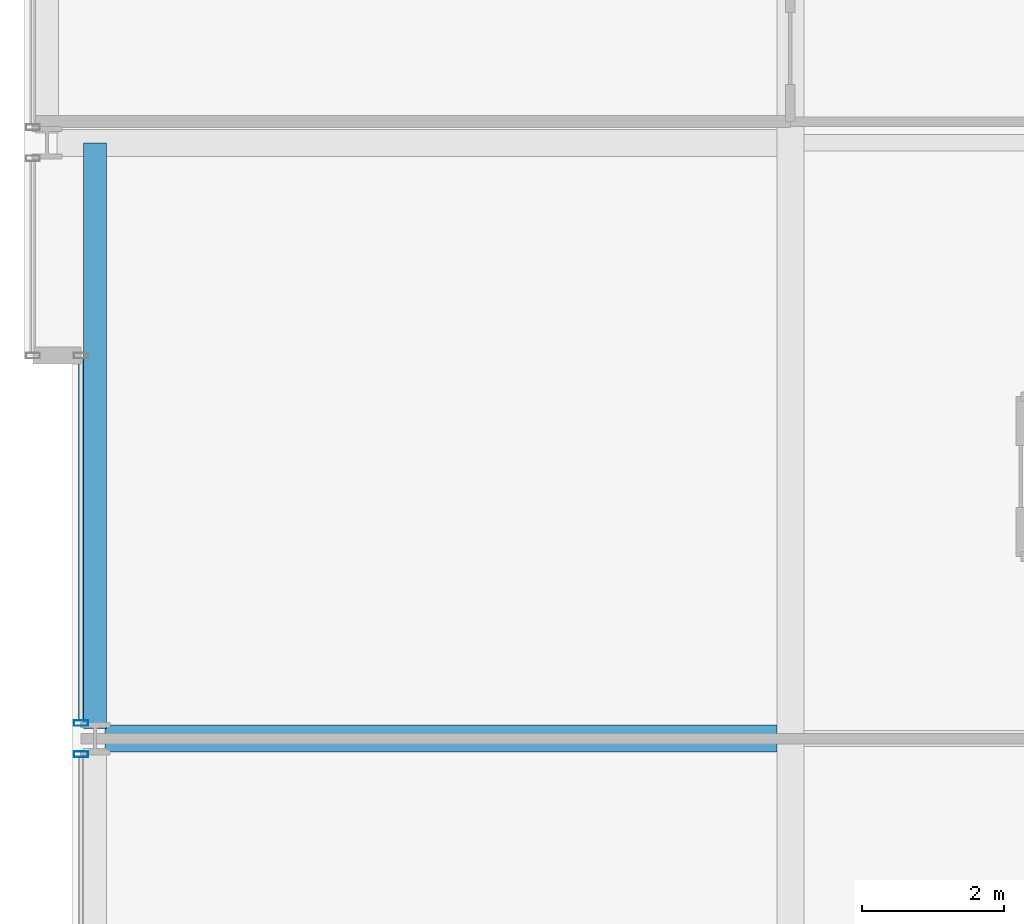
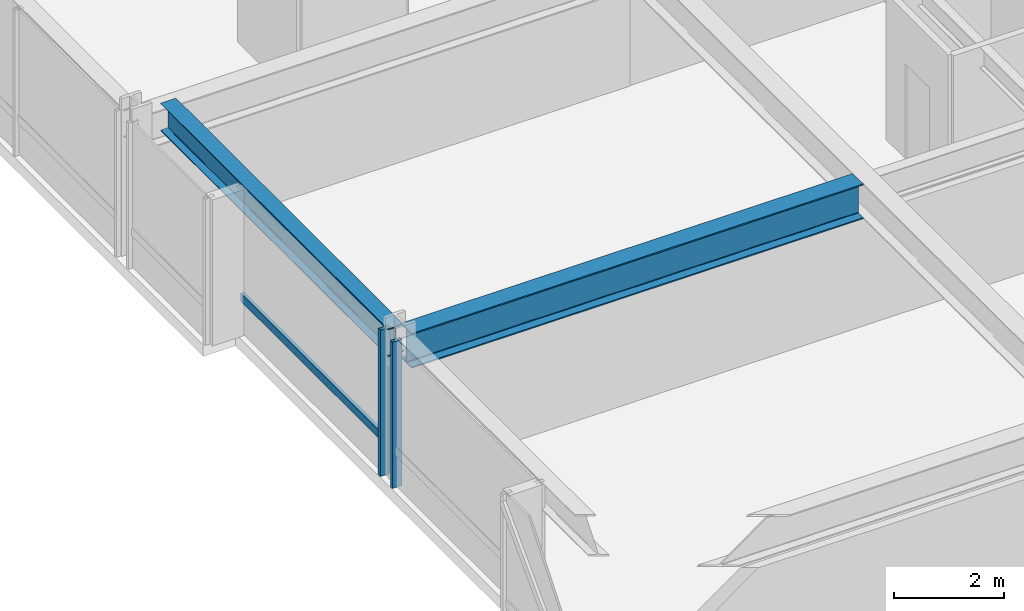
# One storey, part 9 of 34: 3 members, 2 beams, 2 elements without a shape of their own.
"""IFC4 building model written with IfcOpenShell, lengths in metres."""

from ifc_helpers import new_model, si_unit, direction, frame, origin, origin_2d, place, context, subcontext, project, spatial, hollow_rectangle, i_section, extrude, material, layer, layer_set, material_profile, profile_set, type_object, element, aggregate, save


model = new_model("IFC4")

# Units and contexts
model_context = context("Model", 3, precision=1e-05, world=origin(), true_north=direction((0.0, 1.0)))
body_context = subcontext(model_context, "Body", "Model", "MODEL_VIEW")
ifc_project = project(units=[si_unit("LENGTHUNIT", "METRE"), si_unit("AREAUNIT", "SQUARE_METRE"), si_unit("VOLUMEUNIT", "CUBIC_METRE"), si_unit("PLANEANGLEUNIT", "RADIAN"), si_unit("MASSUNIT", "GRAM", prefix="KILO")], contexts=[model_context])

# Site, building, storey
site_placement = place(None, origin())
site = spatial("IfcSite", under=ifc_project, at=site_placement, CompositionType="ELEMENT")
building_placement = place(site_placement, origin())
building = spatial("IfcBuilding", under=site, at=building_placement, Name="Drelvath Grand Hotel", CompositionType="ELEMENT")
storey_placement = place(building_placement, frame((0.0, 0.0, 112.800048828125)))
storey = spatial("IfcBuildingStorey", under=building, at=storey_placement, Name="L28", CompositionType="ELEMENT", Elevation=112.800048828125)

# Curtain wall, member
ifc_material_1 = material(Name="Champagne Bronze Anodised Aluminium Frame", Category="aluminium")
ifc_layer = layer(ifc_material_1, 0.199951171875)
ifc_layer_set = layer_set([ifc_layer], Name="Champagne Bronze Anodised Aluminium Frame")
curtain_wall_type = type_object("IfcCurtainWallType", Name="Stick Curtain Wall CW-03 Champagne Bronze Mid-Rise", PredefinedType="NOTDEFINED", material=ifc_layer_set)
curtain_wall_1_placement = place(storey_placement, origin())
curtain_wall_1 = element("IfcCurtainWall", 1, at=curtain_wall_1_placement, inside=storey, type_object=curtain_wall_type, Name="L28 CW-03 Curtain Wall CW03-L28-WM2", PredefinedType="NOTDEFINED")
ifc_material_profile_1 = material_profile(ifc_material_1, hollow_rectangle(XDim=0.074951171875, YDim=0.179931640625, WallThickness=0.0048828125, at=origin_2d()), Name="HSS180X75X5")
ifc_profile_set_1 = profile_set([ifc_material_profile_1], Name="Champagne Bronze Anodised Aluminium Frame")
member_type_1 = type_object("IfcMemberType", Name="Curtain Wall Horizontal Transom CW-03 HSS180X75X5", PredefinedType="USERDEFINED", material=ifc_profile_set_1)
member_1_placement = place(storey_placement, frame((-26.199951171875, 27.259521484375, 0.81005859375), z_axis=(0.0, 1.0, 0.0), x_axis=(-1.0, 0.0, 0.0)))
member_1 = element("IfcMember", 2, at=member_1_placement, type_object=member_type_1, Name="CW03-L28-WM2 Sill Transom", ObjectType="TRANSOM", PredefinedType="USERDEFINED", context=body_context, shape_type="SweptSolid", body=[
    extrude(hollow_rectangle(XDim=0.074951171875, YDim=0.179931640625, WallThickness=0.0048828125, at=origin_2d()), origin(), (0.0, 0.0, 1.0), 5.1005859375),
])

curtain_wall_2_placement = place(storey_placement, origin())
curtain_wall_2 = element("IfcCurtainWall", 3, at=curtain_wall_2_placement, inside=storey, type_object=curtain_wall_type, Name="L28 CW-03 Curtain Wall CW03-L28-WM1", PredefinedType="NOTDEFINED")
ifc_material_profile_2 = material_profile(ifc_material_1, hollow_rectangle(XDim=0.080078125, YDim=0.199951171875, WallThickness=0.0048828125, at=origin_2d()), Name="HSS200X80X5")
ifc_profile_set_2 = profile_set([ifc_material_profile_2], Name="Champagne Bronze Anodised Aluminium Frame")
member_type_2 = type_object("IfcMemberType", Name="Curtain Wall Vertical Mullion CW-03 HSS200X80X5", PredefinedType="MULLION", material=ifc_profile_set_2)
member_2_placement = place(storey_placement, frame((-26.199951171875, 26.780517578125, 0.0), z_axis=(0.0, 0.0, 1.0), x_axis=(0.0, 1.0, 0.0)))
member_2 = element("IfcMember", 4, at=member_2_placement, type_object=member_type_2, Name="CW03-L28-WM1 Mullion 2", PredefinedType="MULLION", context=body_context, shape_type="SweptSolid", body=[
    extrude(hollow_rectangle(XDim=0.080078125, YDim=0.199951171875, WallThickness=0.0048828125, at=origin_2d()), origin(), (0.0, 0.0, 1.0), 3.239990234375),
])
aggregate(curtain_wall_2, [member_2])

# Member
member_3_placement = place(storey_placement, frame((-26.199951171875, 27.219482421875, 0.0), z_axis=(0.0, 0.0, 1.0), x_axis=(0.0, 1.0, 0.0)))
member_3 = element("IfcMember", 5, at=member_3_placement, type_object=member_type_2, Name="CW03-L28-WM2 Mullion 1", PredefinedType="MULLION", context=body_context, shape_type="SweptSolid", body=[
    extrude(hollow_rectangle(XDim=0.080078125, YDim=0.199951171875, WallThickness=0.0048828125, at=origin_2d()), origin(), (0.0, 0.0, 1.0), 3.239990234375),
])

aggregate(curtain_wall_1, [member_3, member_1])

# Beams
ifc_material_2 = material(Name="Steel ASTM A992 Gr 50", Category="steel")
ifc_material_profile_3 = material_profile(ifc_material_2, i_section(OverallWidth=0.323974609375, OverallDepth=0.611083984375, WebThickness=0.0126953125, FlangeThickness=0.01904296875, FilletRadius=0.02197265625, at=origin_2d()), Name="W24X104")
ifc_profile_set_3 = profile_set([ifc_material_profile_3], Name="Steel ASTM A992 Gr 50")
beam_type_1 = type_object("IfcBeamType", Name="Perimeter Spandrel Beam W24X104", PredefinedType="SPANDREL", material=ifc_profile_set_3)
beam_1_placement = place(storey_placement, frame((-26.0, 27.139892578125, 2.9345703125), z_axis=(0.0, 1.0, 0.0), x_axis=(-1.0, 0.0, 0.0)))
element("IfcBeam", 6, at=beam_1_placement, inside=storey, type_object=beam_type_1, Name="L28 Spandrel West Mid N", PredefinedType="SPANDREL", context=body_context, shape_type="SweptSolid", body=[
    extrude(i_section(OverallWidth=0.323974609375, OverallDepth=0.611083984375, WebThickness=0.0126953125, FlangeThickness=0.01904296875, FilletRadius=0.02197265625, at=origin_2d()), origin(), (0.0, 0.0, 1.0), 8.260009765625),
])
ifc_material_profile_4 = material_profile(ifc_material_2, i_section(OverallWidth=0.380615234375, OverallDepth=0.773193359375, WebThickness=0.0166015625, FlangeThickness=0.027099609375, FilletRadius=0.02490234375, at=origin_2d()), Name="W30X173")
ifc_profile_set_4 = profile_set([ifc_material_profile_4], Name="Steel ASTM A992 Gr 50")
beam_type_2 = type_object("IfcBeamType", Name="Primary Floor Girder W30X173", PredefinedType="BEAM", material=ifc_profile_set_4)
beam_2_placement = place(storey_placement, frame((-25.860107421875, 27.0, 2.853271484375), z_axis=(1.0, 0.0, 0.0), x_axis=(0.0, 1.0, 0.0)))
element("IfcBeam", 7, at=beam_2_placement, inside=storey, type_object=beam_type_2, Name="L28 West Wing Girder E", PredefinedType="BEAM", context=body_context, shape_type="SweptSolid", body=[
    extrude(i_section(OverallWidth=0.380615234375, OverallDepth=0.773193359375, WebThickness=0.0166015625, FlangeThickness=0.027099609375, FilletRadius=0.02490234375, at=origin_2d()), origin(), (0.0, 0.0, 1.0), 9.4697265625),
])

save(model, "model.ifc")
